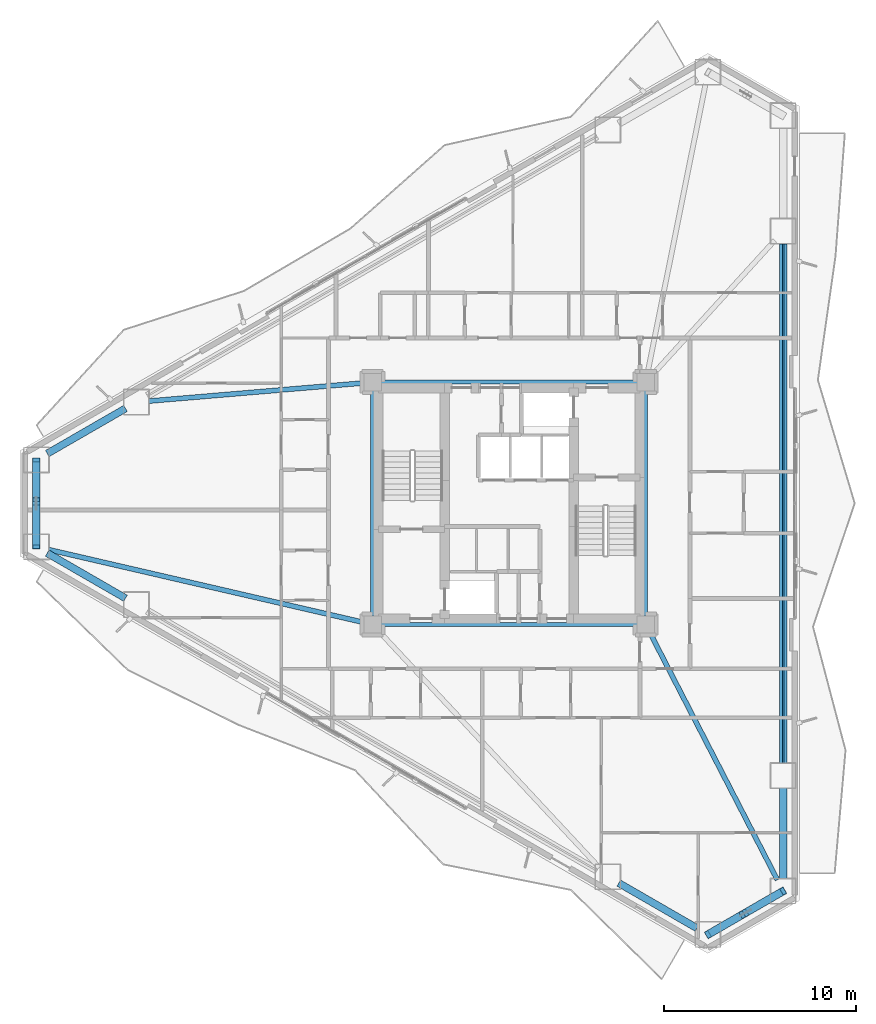
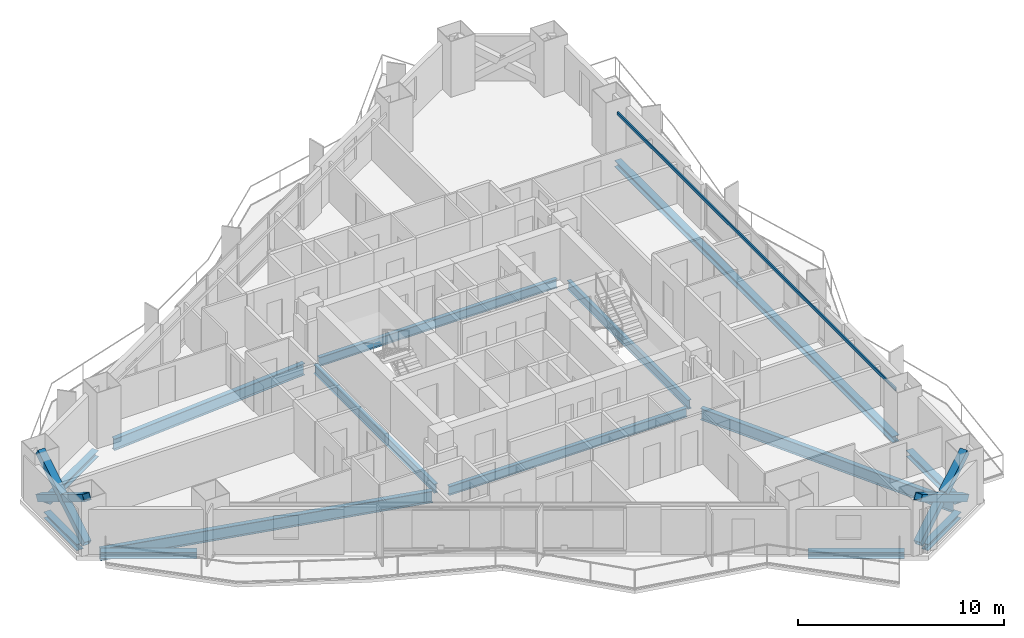
# One storey, part 5 of 18: 15 beams, 6 members.
"""IFC4 building model written with IfcOpenShell, lengths in metres."""

from ifc_helpers import new_model, si_unit, direction, frame, origin, origin_2d, place, context, subcontext, project, spatial, hollow_rectangle, i_section, extrude, material, material_profile, profile_set, type_object, element, save


model = new_model("IFC4")

# Units and contexts
model_context = context("Model", 3, precision=1e-05, world=origin(), true_north=direction((0.0, 1.0)))
body_context = subcontext(model_context, "Body", "Model", "MODEL_VIEW")
ifc_project = project(units=[si_unit("LENGTHUNIT", "METRE"), si_unit("AREAUNIT", "SQUARE_METRE"), si_unit("VOLUMEUNIT", "CUBIC_METRE"), si_unit("PLANEANGLEUNIT", "RADIAN"), si_unit("MASSUNIT", "GRAM", prefix="KILO")], contexts=[model_context])

# Site, building, storey
site_placement = place(None, origin())
site = spatial("IfcSite", under=ifc_project, at=site_placement, CompositionType="ELEMENT")
building_placement = place(site_placement, origin())
building = spatial("IfcBuilding", under=site, at=building_placement, Name="Mersakhor Tower and Convention Hall", CompositionType="ELEMENT")
storey_placement = place(building_placement, frame((0.0, 0.0, 52.199951171875)))
storey = spatial("IfcBuildingStorey", under=building, at=storey_placement, Name="L14", CompositionType="ELEMENT", Elevation=52.199951171875)

# Beams
ifc_material_1 = material(Name="Steel S355", Category="steel")
ifc_material_profile_1 = material_profile(ifc_material_1, i_section(OverallWidth=0.2099609375, OverallDepth=0.53662109375, WebThickness=0.0107421875, FlangeThickness=0.017333984375, at=origin_2d()), Name="UB 533x210x101")
ifc_profile_set_1 = profile_set([ifc_material_profile_1], Name="Steel S355")
beam_type_1 = type_object("IfcBeamType", Name="BM-FB-533", PredefinedType="BEAM", material=ifc_profile_set_1)
beam_1_placement = place(storey_placement, frame((21.89990234375, 20.8798828125, -0.5283203125), z_axis=(0.0, 1.0, 0.0), x_axis=(-1.0, 0.0, 0.0)))
element("IfcBeam", 1, at=beam_1_placement, inside=storey, type_object=beam_type_1, Name="L14 Core Ring Tie Beam CRB-1", PredefinedType="BEAM", context=body_context, shape_type="SweptSolid", body=[
    extrude(i_section(OverallWidth=0.2099609375, OverallDepth=0.53662109375, WebThickness=0.0107421875, FlangeThickness=0.017333984375, at=origin_2d()), origin(), (0.0, 0.0, 1.0), 11.740234375),
])
beam_2_placement = place(storey_placement, frame((22.330078125, 33.050048828125, -0.5283203125), z_axis=(1.0, 0.0, 0.0), x_axis=(0.0, 1.0, 0.0)))
element("IfcBeam", 2, at=beam_2_placement, inside=storey, type_object=beam_type_1, Name="L14 Core Ring Tie Beam CRB-2", PredefinedType="BEAM", context=body_context, shape_type="SweptSolid", body=[
    extrude(i_section(OverallWidth=0.2099609375, OverallDepth=0.53662109375, WebThickness=0.0107421875, FlangeThickness=0.017333984375, at=origin_2d()), origin(), (0.0, 0.0, 1.0), 13.33984375),
])
beam_3_placement = place(storey_placement, frame((36.10009765625, 32.6201171875, -0.5283203125), z_axis=(0.0, -1.0, 0.0), x_axis=(1.0, 0.0, 0.0)))
element("IfcBeam", 3, at=beam_3_placement, inside=storey, type_object=beam_type_1, Name="L14 Core Ring Tie Beam CRB-3", PredefinedType="BEAM", context=body_context, shape_type="SweptSolid", body=[
    extrude(i_section(OverallWidth=0.2099609375, OverallDepth=0.53662109375, WebThickness=0.0107421875, FlangeThickness=0.017333984375, at=origin_2d()), origin(), (0.0, 0.0, 1.0), 11.740234375),
])
beam_4_placement = place(storey_placement, frame((35.669921875, 20.449951171875, -0.5283203125), z_axis=(-1.0, 0.0, 0.0), x_axis=(0.0, -1.0, 0.0)))
element("IfcBeam", 4, at=beam_4_placement, inside=storey, type_object=beam_type_1, Name="L14 Core Ring Tie Beam CRB-4", PredefinedType="BEAM", context=body_context, shape_type="SweptSolid", body=[
    extrude(i_section(OverallWidth=0.2099609375, OverallDepth=0.53662109375, WebThickness=0.0107421875, FlangeThickness=0.017333984375, at=origin_2d()), origin(), (0.0, 0.0, 1.0), 13.33984375),
])
ifc_material_2 = material(Name="Steel S355", Category="steel")
ifc_material_profile_2 = material_profile(ifc_material_2, hollow_rectangle(XDim=0.080078125, YDim=0.179931640625, WallThickness=0.008056640625, at=origin_2d()), Name="RHS 180x80x8")
ifc_profile_set_2 = profile_set([ifc_material_profile_2], Name="Steel S355")
beam_type_2 = type_object("IfcBeamType", Name="BM-GRT-RHS180", PredefinedType="USERDEFINED", material=ifc_profile_set_2)
beam_5_placement = place(storey_placement, frame((43.25, 40.24951171875, 2.47998046875), z_axis=(0.0, -1.0, 0.0), x_axis=(1.0, 0.0, 0.0)))
element("IfcBeam", 5, at=beam_5_placement, inside=storey, type_object=beam_type_2, Name="L14 Facade Support Girt GRT-F2", ObjectType="GIRT", PredefinedType="USERDEFINED", context=body_context, shape_type="SweptSolid", body=[
    extrude(hollow_rectangle(XDim=0.080078125, YDim=0.179931640625, WallThickness=0.008056640625, at=origin_2d()), origin(), (0.0, 0.0, 1.0), 26.9990234375),
])
ifc_material_3 = material(Name="Steel S355", Category="steel")
ifc_material_profile_3 = material_profile(ifc_material_3, i_section(OverallWidth=0.25439453125, OverallDepth=0.6875, WebThickness=0.01318359375, FlangeThickness=0.02099609375, at=origin_2d()), Name="UB 686x254x152")
ifc_profile_set_3 = profile_set([ifc_material_profile_3], Name="Steel S355")
beam_type_3 = type_object("IfcBeamType", Name="BM-PR-686", PredefinedType="BEAM", material=ifc_profile_set_3)
beam_6_placement = place(storey_placement, frame((21.471435546875, 33.013916015625, -0.603759765625), z_axis=(-0.996458345442, -0.084087845732, 0.0), x_axis=(0.084087845732, -0.996458345442, 0.0)))
element("IfcBeam", 6, at=beam_6_placement, inside=storey, type_object=beam_type_3, Name="L14 Primary Floor Girder FG-1", PredefinedType="BEAM", context=body_context, shape_type="SweptSolid", body=[
    extrude(i_section(OverallWidth=0.25439453125, OverallDepth=0.6875, WebThickness=0.01318359375, FlangeThickness=0.02099609375, at=origin_2d()), origin(), (0.0, 0.0, 1.0), 11.241943359375),
])
beam_7_placement = place(storey_placement, frame((36.297119140625, 20.06787109375, -0.603759765625), z_axis=(0.458368239331, -0.888762373851, 0.0), x_axis=(0.888762373851, 0.458368239331, 0.0)))
element("IfcBeam", 7, at=beam_7_placement, inside=storey, type_object=beam_type_3, Name="L14 Primary Floor Girder FG-4", PredefinedType="BEAM", context=body_context, shape_type="SweptSolid", body=[
    extrude(i_section(OverallWidth=0.25439453125, OverallDepth=0.6875, WebThickness=0.01318359375, FlangeThickness=0.02099609375, at=origin_2d()), origin(), (0.0, 0.0, 1.0), 14.513671875),
])
beam_8_placement = place(storey_placement, frame((21.48095703125, 20.546875, -0.603759765625), z_axis=(-0.974327224334, 0.225136536175, 0.0), x_axis=(-0.225136536175, -0.974327224334, 0.0)))
element("IfcBeam", 8, at=beam_8_placement, inside=storey, type_object=beam_type_3, Name="L14 Primary Floor Girder FG-6", PredefinedType="BEAM", context=body_context, shape_type="SweptSolid", body=[
    extrude(i_section(OverallWidth=0.25439453125, OverallDepth=0.6875, WebThickness=0.01318359375, FlangeThickness=0.02099609375, at=origin_2d()), origin(), (0.0, 0.0, 1.0), 16.862548828125),
])
ifc_material_4 = material(Name="Steel S355", Category="steel")
ifc_material_profile_4 = material_profile(ifc_material_4, i_section(OverallWidth=0.374755859375, OverallDepth=0.37451171875, WebThickness=0.0166015625, FlangeThickness=0.027099609375, at=origin_2d()), Name="UC 356x368x202")
ifc_profile_set_4 = profile_set([ifc_material_profile_4], Name="Steel S355")
beam_type_4 = type_object("IfcBeamType", Name="BM-SPD-UC356", PredefinedType="SPANDREL", material=ifc_profile_set_4)
beam_9_placement = place(storey_placement, frame((4.980224609375, 29.3369140625, -0.447265625), z_axis=(0.86605407247, 0.499950341091, 0.0), x_axis=(-0.499950341091, 0.86605407247, 0.0)))
element("IfcBeam", 9, at=beam_9_placement, inside=storey, type_object=beam_type_4, Name="L14 Perimeter Spandrel Beam SPB-01", PredefinedType="SPANDREL", context=body_context, shape_type="SweptSolid", body=[
    extrude(i_section(OverallWidth=0.374755859375, OverallDepth=0.37451171875, WebThickness=0.0166015625, FlangeThickness=0.027099609375, at=origin_2d()), origin(), (0.0, 0.0, 1.0), 4.69873046875),
])
beam_10_placement = place(storey_placement, frame((43.25, 40.24951171875, -0.447265625), z_axis=(0.0, -1.0, 0.0), x_axis=(1.0, 0.0, 0.0)))
element("IfcBeam", 10, at=beam_10_placement, inside=storey, type_object=beam_type_4, Name="L14 Perimeter Spandrel Beam SPB-06", PredefinedType="SPANDREL", context=body_context, shape_type="SweptSolid", body=[
    extrude(i_section(OverallWidth=0.374755859375, OverallDepth=0.37451171875, WebThickness=0.0166015625, FlangeThickness=0.027099609375, at=origin_2d()), origin(), (0.0, 0.0, 1.0), 26.9990234375),
])
beam_11_placement = place(storey_placement, frame((43.25, 11.9404296875, -0.447265625), z_axis=(0.0, -1.0, 0.0), x_axis=(1.0, 0.0, 0.0)))
element("IfcBeam", 11, at=beam_11_placement, inside=storey, type_object=beam_type_4, Name="L14 Perimeter Spandrel Beam SPB-07", PredefinedType="SPANDREL", context=body_context, shape_type="SweptSolid", body=[
    extrude(i_section(OverallWidth=0.374755859375, OverallDepth=0.37451171875, WebThickness=0.0166015625, FlangeThickness=0.027099609375, at=origin_2d()), origin(), (0.0, 0.0, 1.0), 4.69873046875),
])
beam_12_placement = place(storey_placement, frame((42.682861328125, 6.25927734375, -0.447265625), z_axis=(-0.866038607556, -0.4999771297, 0.0), x_axis=(0.4999771297, -0.866038607556, 0.0)))
element("IfcBeam", 12, at=beam_12_placement, inside=storey, type_object=beam_type_4, Name="L14 Perimeter Spandrel Beam SPB-08", PredefinedType="SPANDREL", context=body_context, shape_type="SweptSolid", body=[
    extrude(i_section(OverallWidth=0.374755859375, OverallDepth=0.37451171875, WebThickness=0.0166015625, FlangeThickness=0.027099609375, at=origin_2d()), origin(), (0.0, 0.0, 1.0), 3.208740234375),
])
for number, where, z_axis, x_axis, name in (
    (13, (38.769775390625, 4.655029296875, -0.447265625), (-0.866031574723, 0.499989311469, 0.0), (-0.499989311469, -0.866031574723, 0.0), "L14 Perimeter Spandrel Beam SPB-09"),
    (14, (9.049560546875, 21.81396484375, -0.447265625), (-0.86605407247, 0.499950341091, 0.0), (-0.499950341091, -0.86605407247, 0.0), "L14 Perimeter Spandrel Beam SPB-11"),
):
    element("IfcBeam", number, at=place(storey_placement, frame(where, z_axis=z_axis, x_axis=x_axis)), inside=storey, type_object=beam_type_4, Name=name, PredefinedType="SPANDREL", context=body_context, shape_type="SweptSolid", body=[
        extrude(i_section(OverallWidth=0.374755859375, OverallDepth=0.37451171875, WebThickness=0.0166015625, FlangeThickness=0.027099609375, at=origin_2d()), origin(), (0.0, 0.0, 1.0), 4.69873046875),
    ])
beam_13_placement = place(storey_placement, frame((4.4130859375, 25.145751953125, -0.447265625), z_axis=(0.0, 1.0, 0.0), x_axis=(-1.0, 0.0, 0.0)))
element("IfcBeam", 15, at=beam_13_placement, inside=storey, type_object=beam_type_4, Name="L14 Perimeter Spandrel Beam SPB-12", PredefinedType="SPANDREL", context=body_context, shape_type="SweptSolid", body=[
    extrude(i_section(OverallWidth=0.374755859375, OverallDepth=0.37451171875, WebThickness=0.0166015625, FlangeThickness=0.027099609375, at=origin_2d()), origin(), (0.0, 0.0, 1.0), 3.20849609375),
])

# Members
ifc_material_5 = material(Name="Steel S460", Category="steel")
ifc_material_profile_5 = material_profile(ifc_material_5, hollow_rectangle(XDim=0.39990234375, YDim=0.39990234375, WallThickness=0.02490234375, at=origin_2d()), Name="SHS 400x400x25")
ifc_profile_set_5 = profile_set([ifc_material_profile_5], Name="Steel S460")
member_type = type_object("IfcMemberType", Name="MB-BRC-SHS400", PredefinedType="BRACE", material=ifc_profile_set_5)
member_1_placement = place(storey_placement, frame((43.25, 6.586669921875, 0.150146484375), z_axis=(-0.740507772322, -0.427542982597, 0.518512523632), x_axis=(0.500009315796, -0.86602002524, 0.0)))
element("IfcMember", 16, at=member_1_placement, inside=storey, type_object=member_type, Name="L14 Chamfer Braced Frame Diagonal CB-2A", PredefinedType="BRACE", context=body_context, shape_type="SweptSolid", body=[
    extrude(hollow_rectangle(XDim=0.39990234375, YDim=0.39990234375, WallThickness=0.02490234375, at=origin_2d()), origin(), (0.0, 0.0, 1.0), 5.284423828125),
])
for number, where, z_axis, x_axis, name in (
    (17, (39.3369140625, 4.327392578125, 0.150146484375), (0.740512106644, 0.427623949895, 0.518439560017), (-0.500078132948, 0.865980289006, 0.0), "L14 Chamfer Braced Frame Diagonal CB-2B Lower Half"),
    (18, (41.46630859375, 5.556884765625, 1.64111328125), (0.740505282886, 0.427518653602, 0.518536138413), (-0.499989236795, 0.866031617834, 0.0), "L14 Chamfer Braced Frame Diagonal CB-2B Upper Half"),
):
    element("IfcMember", number, at=place(storey_placement, frame(where, z_axis=z_axis, x_axis=x_axis)), inside=storey, type_object=member_type, Name=name, PredefinedType="BRACE", context=body_context, shape_type="SweptSolid", body=[
        extrude(hollow_rectangle(XDim=0.39990234375, YDim=0.39990234375, WallThickness=0.02490234375, at=origin_2d()), origin(), (0.0, 0.0, 1.0), 2.40869140625),
    ])
member_2_placement = place(storey_placement, frame((4.4130859375, 24.49072265625, 0.150146484375), z_axis=(0.0, 0.855074317009, 0.51850546033), x_axis=(-1.0, 0.0, 0.0)))
element("IfcMember", 19, at=member_2_placement, inside=storey, type_object=member_type, Name="L14 Chamfer Braced Frame Diagonal CB-3A", PredefinedType="BRACE", context=body_context, shape_type="SweptSolid", body=[
    extrude(hollow_rectangle(XDim=0.39990234375, YDim=0.39990234375, WallThickness=0.02490234375, at=origin_2d()), origin(), (0.0, 0.0, 1.0), 5.284423828125),
])
for number, where, z_axis, x_axis, name in (
    (20, (4.4130859375, 29.00927734375, 0.150146484375), (0.0, -0.855095703444, 0.518470190032), (1.0, 0.0, 0.0), "L14 Chamfer Braced Frame Diagonal CB-3B Lower Half"),
    (21, (4.4130859375, 26.55029296875, 1.64111328125), (0.0, -0.855050764291, 0.518544299444), (1.0, 0.0, 0.0), "L14 Chamfer Braced Frame Diagonal CB-3B Upper Half"),
):
    element("IfcMember", number, at=place(storey_placement, frame(where, z_axis=z_axis, x_axis=x_axis)), inside=storey, type_object=member_type, Name=name, PredefinedType="BRACE", context=body_context, shape_type="SweptSolid", body=[
        extrude(hollow_rectangle(XDim=0.39990234375, YDim=0.39990234375, WallThickness=0.02490234375, at=origin_2d()), origin(), (0.0, 0.0, 1.0), 2.40869140625),
    ])

save(model, "model.ifc")
